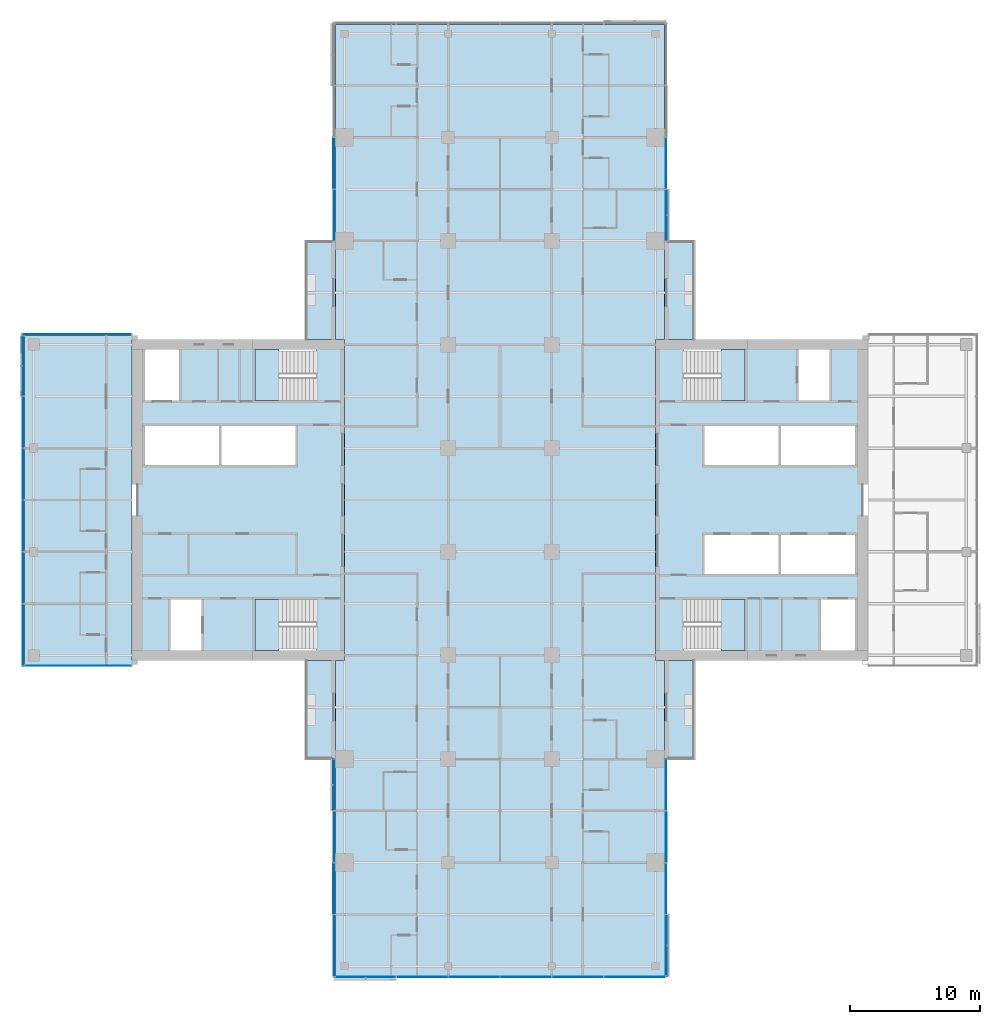
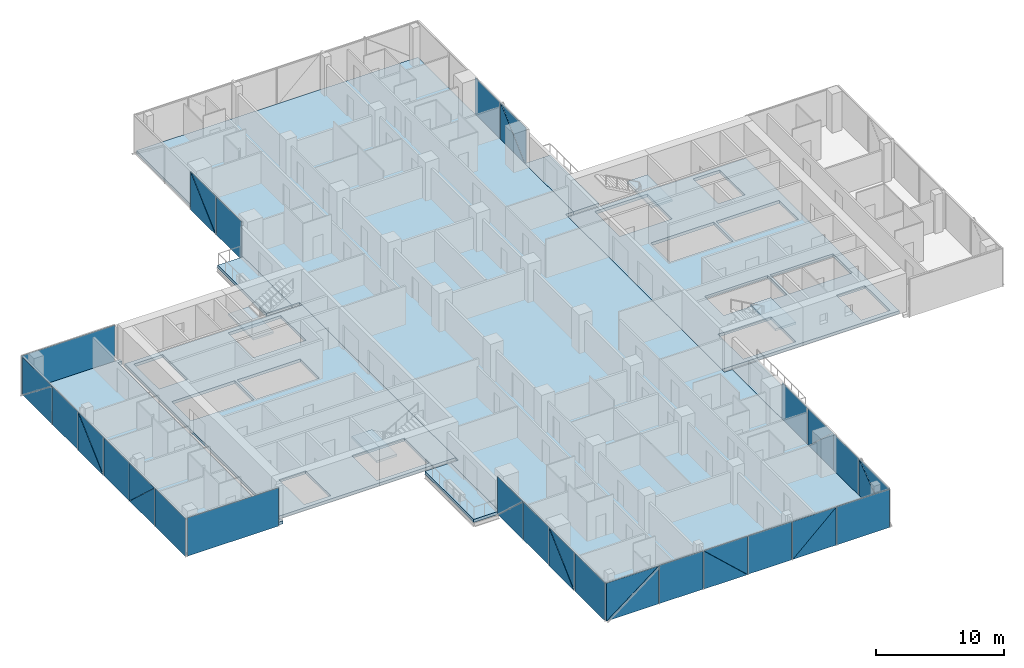
# One storey, part 13 of 27: 38 plates, 12 slabs, 12 elements without a shape of their own.
"""IFC4 building model written with IfcOpenShell, lengths in metres."""

from ifc_helpers import new_model, si_unit, direction, frame, origin, place, context, subcontext, project, spatial, polyline, outline, extrude, material, layer, layer_set, type_object, element, aggregate, save


model = new_model("IFC4")

# Units and contexts
model_context = context("Model", 3, precision=1e-05, world=origin(), true_north=direction((0.0, 1.0)))
body_context = subcontext(model_context, "Body", "Model", "MODEL_VIEW")
ifc_project = project(units=[si_unit("LENGTHUNIT", "METRE"), si_unit("AREAUNIT", "SQUARE_METRE"), si_unit("VOLUMEUNIT", "CUBIC_METRE"), si_unit("PLANEANGLEUNIT", "RADIAN"), si_unit("MASSUNIT", "GRAM", prefix="KILO")], contexts=[model_context])

# Site, building, storey
site_placement = place(None, origin())
site = spatial("IfcSite", under=ifc_project, at=site_placement, CompositionType="ELEMENT")
building_placement = place(site_placement, origin())
building = spatial("IfcBuilding", under=site, at=building_placement, Name="Crosswind Convention Tower", CompositionType="ELEMENT")
storey_placement = place(building_placement, frame((0.0, 0.0, 75.699951171875)))
storey = spatial("IfcBuildingStorey", under=building, at=storey_placement, Name="L13", CompositionType="ELEMENT", Elevation=75.699951171875)

# Slabs
ifc_material_1 = material(Name="Concrete C40/50", Category="concrete")
ifc_layer_1 = layer(ifc_material_1, 0.280029296875)
ifc_layer_set_1 = layer_set([ifc_layer_1], Name="Concrete C40/50")
slab_type_1 = type_object("IfcSlabType", Name="BALCONY SLAB 280", PredefinedType="USERDEFINED", material=ifc_layer_set_1)
slab_1_placement = place(storey_placement, frame((0.0, 0.0, -0.280029296875)))
element("IfcSlab", 1, at=slab_1_placement, inside=storey, type_object=slab_type_1, Name="BALCONY L13 N-E.1-1", ObjectType="BALCONY", PredefinedType="USERDEFINED", context=body_context, shape_type="SweptSolid", body=[
    extrude(outline(polyline([(137.699951171875, 112.39990234375), (137.699951171875, 120.0), (140.0, 120.0), (140.0, 112.39990234375), (137.699951171875, 112.39990234375)])), origin(), (0.0, 0.0, 1.0), 0.280029296875),
])
slab_2_placement = place(storey_placement, frame((0.0, 0.0, -0.280029296875)))
element("IfcSlab", 2, at=slab_2_placement, inside=storey, type_object=slab_type_1, Name="BALCONY L13 N-W.1-3", ObjectType="BALCONY", PredefinedType="USERDEFINED", context=body_context, shape_type="SweptSolid", body=[
    extrude(outline(polyline([(112.300048828125, 120.0), (112.300048828125, 112.39990234375), (110.0, 112.39990234375), (110.0, 120.0), (112.300048828125, 120.0)])), origin(), (0.0, 0.0, 1.0), 0.280029296875),
])
slab_3_placement = place(storey_placement, frame((0.0, 0.0, -0.280029296875)))
element("IfcSlab", 3, at=slab_3_placement, inside=storey, type_object=slab_type_1, Name="BALCONY L13 S-W.1-1", ObjectType="BALCONY", PredefinedType="USERDEFINED", context=body_context, shape_type="SweptSolid", body=[
    extrude(outline(polyline([(112.300048828125, 87.60009765625), (112.300048828125, 80.0), (110.0, 80.0), (110.0, 87.60009765625), (112.300048828125, 87.60009765625)])), origin(), (0.0, 0.0, 1.0), 0.280029296875),
])
slab_4_placement = place(storey_placement, frame((0.0, 0.0, -0.280029296875)))
element("IfcSlab", 4, at=slab_4_placement, inside=storey, type_object=slab_type_1, Name="BALCONY L13 S-E.1-3", ObjectType="BALCONY", PredefinedType="USERDEFINED", context=body_context, shape_type="SweptSolid", body=[
    extrude(outline(polyline([(137.699951171875, 80.0), (137.699951171875, 87.60009765625), (140.0, 87.60009765625), (140.0, 80.0), (137.699951171875, 80.0)])), origin(), (0.0, 0.0, 1.0), 0.280029296875),
])
ifc_layer_2 = layer(ifc_material_1, 0.280029296875)
ifc_layer_set_2 = layer_set([ifc_layer_2], Name="Concrete C40/50")
slab_type_2 = type_object("IfcSlabType", Name="Composite floor slab 280", PredefinedType="FLOOR", material=ifc_layer_set_2)
slab_5_placement = place(storey_placement, frame((0.0, 0.0, -0.280029296875)))
element("IfcSlab", 5, at=slab_5_placement, inside=storey, type_object=slab_type_2, Name="Floor slab L13 part 1", PredefinedType="FLOOR", context=body_context, shape_type="SweptSolid", body=[
    extrude(outline(polyline([(97.0, 87.300048828125), (89.0, 87.300048828125), (88.300048828125, 87.300048828125), (88.300048828125, 88.0), (88.300048828125, 112.0), (88.300048828125, 112.699951171875), (89.0, 112.699951171875), (97.0, 112.699951171875), (97.0, 112.39990234375), (96.60009765625, 112.39990234375), (96.60009765625, 87.60009765625), (97.0, 87.60009765625), (97.0, 87.300048828125)])), origin(), (0.0, 0.0, 1.0), 0.280029296875),
])
slab_6_placement = place(storey_placement, frame((0.0, 0.0, -0.280029296875)))
element("IfcSlab", 6, at=slab_6_placement, inside=storey, type_object=slab_type_2, Name="Floor slab L13 part 2", PredefinedType="FLOOR", context=body_context, shape_type="SweptSolid", body=[
    extrude(outline(polyline([(112.300048828125, 87.60009765625), (113.0, 87.60009765625), (113.0, 112.39990234375), (112.300048828125, 112.39990234375), (112.300048828125, 136.0), (112.300048828125, 136.699951171875), (113.0, 136.699951171875), (137.0, 136.699951171875), (137.699951171875, 136.699951171875), (137.699951171875, 136.0), (137.699951171875, 112.39990234375), (137.0, 112.39990234375), (137.0, 87.60009765625), (137.699951171875, 87.60009765625), (137.699951171875, 64.0), (137.699951171875, 63.300048828125), (137.0, 63.300048828125), (113.0, 63.300048828125), (112.300048828125, 63.300048828125), (112.300048828125, 64.0), (112.300048828125, 87.60009765625)])), origin(), (0.0, 0.0, 1.0), 0.280029296875),
])
ifc_layer_3 = layer(ifc_material_1, 0.280029296875)
ifc_layer_set_3 = layer_set([ifc_layer_3], Name="Concrete C40/50")
slab_type_3 = type_object("IfcSlabType", Name="Concrete core floor slab 280", PredefinedType="FLOOR", material=ifc_layer_set_3)
slab_7_placement = place(storey_placement, frame((0.0, 0.0, -0.280029296875)))
element("IfcSlab", 7, at=slab_7_placement, inside=storey, type_object=slab_type_3, Name="Core floor slab E L13", PredefinedType="FLOOR", context=body_context, shape_type="SweptSolid", body=[
    extrude(outline(polyline([(137.0, 88.0), (153.0, 88.0), (153.0, 112.0), (137.0, 112.0), (137.0, 88.0)]), holes=[polyline([(146.5, 102.699951171875), (146.5, 105.699951171875), (140.800048828125, 105.699951171875), (140.800048828125, 102.699951171875), (146.5, 102.699951171875)]), polyline([(152.39990234375, 102.699951171875), (152.39990234375, 105.699951171875), (146.699951171875, 105.699951171875), (146.699951171875, 102.699951171875), (152.39990234375, 102.699951171875)]), polyline([(146.5, 94.300048828125), (146.5, 97.300048828125), (140.800048828125, 97.300048828125), (140.800048828125, 94.300048828125), (146.5, 94.300048828125)]), polyline([(152.39990234375, 94.300048828125), (152.39990234375, 97.300048828125), (146.699951171875, 97.300048828125), (146.699951171875, 94.300048828125), (152.39990234375, 94.300048828125)]), polyline([(150.449951171875, 107.699951171875), (150.449951171875, 111.60009765625), (148.050048828125, 111.60009765625), (148.050048828125, 107.699951171875), (150.449951171875, 107.699951171875)]), polyline([(152.39990234375, 88.39990234375), (152.39990234375, 92.300048828125), (149.800048828125, 92.300048828125), (149.800048828125, 88.39990234375), (152.39990234375, 88.39990234375)]), polyline([(143.89990234375, 107.699951171875), (143.89990234375, 111.60009765625), (139.14990234375, 111.60009765625), (139.14990234375, 107.699951171875), (143.89990234375, 107.699951171875)]), polyline([(143.89990234375, 88.39990234375), (143.89990234375, 92.300048828125), (139.14990234375, 92.300048828125), (139.14990234375, 88.39990234375), (143.89990234375, 88.39990234375)])]), origin(), (0.0, 0.0, 1.0), 0.280029296875),
])
slab_8_placement = place(storey_placement, frame((0.0, 0.0, -0.280029296875)))
element("IfcSlab", 8, at=slab_8_placement, inside=storey, type_object=slab_type_3, Name="Core floor slab W L13", PredefinedType="FLOOR", context=body_context, shape_type="SweptSolid", body=[
    extrude(outline(polyline([(97.0, 88.0), (113.0, 88.0), (113.0, 112.0), (97.0, 112.0), (97.0, 88.0)]), holes=[polyline([(109.199951171875, 102.699951171875), (109.199951171875, 105.699951171875), (103.5, 105.699951171875), (103.5, 102.699951171875), (109.199951171875, 102.699951171875)]), polyline([(103.300048828125, 102.699951171875), (103.300048828125, 105.699951171875), (97.60009765625, 105.699951171875), (97.60009765625, 102.699951171875), (103.300048828125, 102.699951171875)]), polyline([(101.949951171875, 88.39990234375), (101.949951171875, 92.300048828125), (99.550048828125, 92.300048828125), (99.550048828125, 88.39990234375), (101.949951171875, 88.39990234375)]), polyline([(100.199951171875, 107.699951171875), (100.199951171875, 111.60009765625), (97.60009765625, 111.60009765625), (97.60009765625, 107.699951171875), (100.199951171875, 107.699951171875)]), polyline([(110.85009765625, 88.39990234375), (110.85009765625, 92.300048828125), (106.10009765625, 92.300048828125), (106.10009765625, 88.39990234375), (110.85009765625, 88.39990234375)]), polyline([(110.85009765625, 107.699951171875), (110.85009765625, 111.60009765625), (106.10009765625, 111.60009765625), (106.10009765625, 107.699951171875), (110.85009765625, 107.699951171875)])]), origin(), (0.0, 0.0, 1.0), 0.280029296875),
])

# Stair, slab
stair_type = type_object("IfcStairType", Name="Exit stair 1800 wide, 2 flights of 11 risers", PredefinedType="HALF_TURN_STAIR", material=ifc_material_1)
stair_1_placement = place(storey_placement, origin())
stair_1 = element("IfcStair", 9, at=stair_1_placement, inside=storey, type_object=stair_type, Name="Exit stair ST1 L13", ObjectType="ST5", PredefinedType="HALF_TURN_STAIR")
ifc_layer_4 = layer(ifc_material_1, 0.199951171875)
ifc_layer_set_4 = layer_set([ifc_layer_4], Name="Concrete C40/50")
slab_type_4 = type_object("IfcSlabType", Name="Stair landing 200", PredefinedType="LANDING", material=ifc_layer_set_4)
slab_9_placement = place(storey_placement, frame((0.0, 0.0, 1.650146484375)))
slab_9 = element("IfcSlab", 10, at=slab_9_placement, type_object=slab_type_4, Name="ST1 landing 1", PredefinedType="LANDING", context=body_context, shape_type="SweptSolid", body=[
    extrude(outline(polyline([(143.89990234375, 107.699951171875), (143.89990234375, 111.60009765625), (142.050048828125, 111.60009765625), (142.050048828125, 107.699951171875), (143.89990234375, 107.699951171875)])), origin(), (0.0, 0.0, 1.0), 0.199951171875),
])
aggregate(stair_1, [slab_9])

stair_2_placement = place(storey_placement, origin())
stair_2 = element("IfcStair", 11, at=stair_2_placement, inside=storey, type_object=stair_type, Name="Exit stair ST2 L13", ObjectType="ST5", PredefinedType="HALF_TURN_STAIR")
slab_10_placement = place(storey_placement, frame((0.0, 0.0, 1.650146484375)))
slab_10 = element("IfcSlab", 12, at=slab_10_placement, type_object=slab_type_4, Name="ST2 landing 1", PredefinedType="LANDING", context=body_context, shape_type="SweptSolid", body=[
    extrude(outline(polyline([(143.89990234375, 88.39990234375), (143.89990234375, 92.300048828125), (142.050048828125, 92.300048828125), (142.050048828125, 88.39990234375), (143.89990234375, 88.39990234375)])), origin(), (0.0, 0.0, 1.0), 0.199951171875),
])
aggregate(stair_2, [slab_10])

stair_3_placement = place(storey_placement, origin())
stair_3 = element("IfcStair", 13, at=stair_3_placement, inside=storey, type_object=stair_type, Name="Exit stair ST3 L13", ObjectType="ST5", PredefinedType="HALF_TURN_STAIR")
slab_11_placement = place(storey_placement, frame((0.0, 0.0, 1.650146484375)))
slab_11 = element("IfcSlab", 14, at=slab_11_placement, type_object=slab_type_4, Name="ST3 landing 1", PredefinedType="LANDING", context=body_context, shape_type="SweptSolid", body=[
    extrude(outline(polyline([(107.949951171875, 88.39990234375), (107.949951171875, 92.300048828125), (106.10009765625, 92.300048828125), (106.10009765625, 88.39990234375), (107.949951171875, 88.39990234375)])), origin(), (0.0, 0.0, 1.0), 0.199951171875),
])
aggregate(stair_3, [slab_11])

stair_4_placement = place(storey_placement, origin())
stair_4 = element("IfcStair", 15, at=stair_4_placement, inside=storey, type_object=stair_type, Name="Exit stair ST4 L13", ObjectType="ST5", PredefinedType="HALF_TURN_STAIR")
slab_12_placement = place(storey_placement, frame((0.0, 0.0, 1.650146484375)))
slab_12 = element("IfcSlab", 16, at=slab_12_placement, type_object=slab_type_4, Name="ST4 landing 1", PredefinedType="LANDING", context=body_context, shape_type="SweptSolid", body=[
    extrude(outline(polyline([(107.949951171875, 107.699951171875), (107.949951171875, 111.60009765625), (106.10009765625, 111.60009765625), (106.10009765625, 107.699951171875), (107.949951171875, 107.699951171875)])), origin(), (0.0, 0.0, 1.0), 0.199951171875),
])
aggregate(stair_4, [slab_12])

# Curtain wall, plate
ifc_material_2 = material(Name="Aluminium unitised curtain wall", Category="aluminium")
curtain_wall_type_1 = type_object("IfcCurtainWallType", Name="CORE END SLOT WALL 160", PredefinedType="USERDEFINED", material=ifc_material_2)
curtain_wall_1_placement = place(storey_placement, origin())
curtain_wall_1 = element("IfcCurtainWall", 17, at=curtain_wall_1_placement, inside=storey, type_object=curtain_wall_type_1, Name="CW6 L13 W-N.2-1 slot", ObjectType="UNITISED", PredefinedType="USERDEFINED")
ifc_material_3 = material(Name="Laminated insulating glass unit", Category="glass")
ifc_layer_5 = layer(ifc_material_3, 0.02587890625)
ifc_layer_set_5 = layer_set([ifc_layer_5], Name="TRIANGULAR GLASS PANEL 26")
plate_type_1 = type_object("IfcPlateType", Name="TRIANGULAR GLASS PANEL 26", PredefinedType="CURTAIN_PANEL", material=ifc_layer_set_5)
plate_1_placement = place(storey_placement, frame((96.550048828125, 112.806640625, -0.280029296875), z_axis=(0.0, 0.999999919475, 0.000401310917), x_axis=(-1.0, 0.0, 0.0)))
plate_1 = element("IfcPlate", 18, at=plate_1_placement, type_object=plate_type_1, Name="CW6 panel 1.1", PredefinedType="CURTAIN_PANEL", context=body_context, shape_type="SweptSolid", body=[
    extrude(outline(polyline([(0.0, 0.0), (8.400146484375, 0.0), (8.400146484375, 3.6501467783039057), (0.0, 3.6501467783039057), (0.0, 0.0)])), origin(), (0.0, 0.0, -1.0), 0.02587890625),
])
aggregate(curtain_wall_1, [plate_1])

curtain_wall_2_placement = place(storey_placement, origin())
curtain_wall_2 = element("IfcCurtainWall", 19, at=curtain_wall_2_placement, inside=storey, type_object=curtain_wall_type_1, Name="CW6 L13 W-S.1-1 slot", ObjectType="UNITISED", PredefinedType="USERDEFINED")
plate_2_placement = place(storey_placement, frame((88.35009765625, 87.193359375, -0.280029296875), z_axis=(0.0, -0.999999919475, 0.000401310917), x_axis=(1.0, 0.0, 0.0)))
plate_2 = element("IfcPlate", 20, at=plate_2_placement, type_object=plate_type_1, Name="CW6 panel 1.1", PredefinedType="CURTAIN_PANEL", context=body_context, shape_type="SweptSolid", body=[
    extrude(outline(polyline([(0.0, 0.0), (8.199951171875, 0.0), (8.199951171875, 3.650146778303906), (0.0, 3.650146778303906), (0.0, 0.0)])), origin(), (0.0, 0.0, -1.0), 0.02587890625),
])
aggregate(curtain_wall_2, [plate_2])

# Curtain wall, plates
curtain_wall_type_2 = type_object("IfcCurtainWallType", Name="HOTEL UNITISED WALL 200", PredefinedType="USERDEFINED", material=ifc_material_2)
curtain_wall_3_placement = place(storey_placement, origin())
curtain_wall_3 = element("IfcCurtainWall", 21, at=curtain_wall_3_placement, inside=storey, type_object=curtain_wall_type_2, Name="CW2 L13 N-E 1", ObjectType="UNITISED", PredefinedType="USERDEFINED")
ifc_layer_6 = layer(ifc_material_3, 0.028076171875)
ifc_layer_set_6 = layer_set([ifc_layer_6], Name="TRIANGULAR GLASS PANEL 28")
plate_type_2 = type_object("IfcPlateType", Name="TRIANGULAR GLASS PANEL 28", PredefinedType="CURTAIN_PANEL", material=ifc_layer_set_6)
plate_3_placement = place(storey_placement, frame((137.82861328125, 123.967529296875, -0.280029296875), z_axis=(0.999999943194, 0.0, 0.000337063484), x_axis=(-0.000337063484, 0.0, 0.999999943194)))
plate_3 = element("IfcPlate", 22, at=plate_3_placement, type_object=plate_type_2, Name="CW2 panel 1.1", PredefinedType="CURTAIN_PANEL", context=body_context, shape_type="SweptSolid", body=[
    extrude(outline(polyline([(0.0, 0.0), (3.62158223697723, 0.0), (0.0, 3.920410156250001), (0.0, 0.0)])), origin(), (0.0, 0.0, -1.0), 0.028076171875),
])
plate_4_placement = place(storey_placement, frame((137.857177734375, 120.032470703125, 3.35498046875), z_axis=(0.999999918188, 0.0, 0.000404503439), x_axis=(0.000404503439, 0.0, -0.999999918188)))
plate_4 = element("IfcPlate", 23, at=plate_4_placement, type_object=plate_type_2, Name="CW2 panel 1.2", PredefinedType="CURTAIN_PANEL", context=body_context, shape_type="SweptSolid", body=[
    extrude(outline(polyline([(0.0, 0.0), (3.6213381868921797, 0.0), (0.0, 3.92041015625), (0.0, 0.0)])), origin(), (0.0, 0.0, -1.0), 0.028076171875),
])
plate_5_placement = place(storey_placement, frame((137.82861328125, 124.032470703125, -0.280029296875), z_axis=(0.999999943613, 0.0, 0.00033581837), x_axis=(0.0, 1.0, 0.0)))
plate_5 = element("IfcPlate", 24, at=plate_5_placement, type_object=plate_type_2, Name="CW2 panel 2.1", PredefinedType="CURTAIN_PANEL", context=body_context, shape_type="SweptSolid", body=[
    extrude(outline(polyline([(0.0, 0.0), (3.93505859375, 0.0), (3.93505859375, 3.635009970592273), (0.0, 3.635009970592273), (0.0, 0.0)])), origin(), (0.0, 0.0, -1.0), 0.028076171875),
])
aggregate(curtain_wall_3, [plate_3, plate_4, plate_5])

curtain_wall_4_placement = place(storey_placement, origin())
curtain_wall_4 = element("IfcCurtainWall", 25, at=curtain_wall_4_placement, inside=storey, type_object=curtain_wall_type_2, Name="CW2 L13 N-W 1", ObjectType="UNITISED", PredefinedType="USERDEFINED")
plate_6_placement = place(storey_placement, frame((112.172607421875, 124.032470703125, 3.35498046875), z_axis=(-0.999999943186, 0.0, 0.000337086208), x_axis=(0.0, 1.0, 0.0)))
plate_6 = element("IfcPlate", 26, at=plate_6_placement, type_object=plate_type_2, Name="CW2 panel 3.1", PredefinedType="CURTAIN_PANEL", context=body_context, shape_type="SweptSolid", body=[
    extrude(outline(polyline([(0.0, 0.0), (3.92041015625, 0.0), (0.0, 3.6213380963660997), (0.0, 0.0)])), origin(), (0.0, 0.0, -1.0), 0.028076171875),
])
plate_7_placement = place(storey_placement, frame((112.141357421875, 127.967529296875, -0.280029296875), z_axis=(-0.9999999182, 0.0, 0.00040447617), x_axis=(0.0, -1.0, 0.0)))
plate_7 = element("IfcPlate", 27, at=plate_7_placement, type_object=plate_type_2, Name="CW2 panel 3.2", PredefinedType="CURTAIN_PANEL", context=body_context, shape_type="SweptSolid", body=[
    extrude(outline(polyline([(0.0, 0.0), (3.92041015625, 0.0), (0.0, 3.621582327497207), (0.0, 0.0)])), origin(), (0.0, 0.0, -1.0), 0.028076171875),
])
plate_8_placement = place(storey_placement, frame((112.17138671875, 123.967529296875, -0.280029296875), z_axis=(-0.999999943613, 0.0, 0.00033581837), x_axis=(0.0, -1.0, 0.0)))
plate_8 = element("IfcPlate", 28, at=plate_8_placement, type_object=plate_type_2, Name="CW2 panel 4.1", PredefinedType="CURTAIN_PANEL", context=body_context, shape_type="SweptSolid", body=[
    extrude(outline(polyline([(0.0, 0.0), (3.93505859375, 0.0), (3.93505859375, 3.635009970592273), (0.0, 3.635009970592273), (0.0, 0.0)])), origin(), (0.0, 0.0, -1.0), 0.028076171875),
])
aggregate(curtain_wall_4, [plate_6, plate_7, plate_8])

curtain_wall_5_placement = place(storey_placement, origin())
curtain_wall_5 = element("IfcCurtainWall", 29, at=curtain_wall_5_placement, inside=storey, type_object=curtain_wall_type_2, Name="CW2 L13 W-TIP 1", ObjectType="UNITISED", PredefinedType="USERDEFINED")
plate_9_placement = place(storey_placement, frame((88.17138671875, 108.032470703125, -0.280029296875), z_axis=(-0.999999943217, 0.0, 0.00033699533), x_axis=(0.00033699533, 0.0, 0.999999943217)))
plate_9 = element("IfcPlate", 30, at=plate_9_placement, type_object=plate_type_2, Name="CW2 panel 1.1", PredefinedType="CURTAIN_PANEL", context=body_context, shape_type="SweptSolid", body=[
    extrude(outline(polyline([(0.0, 0.0), (3.6223146588106325, 0.0), (0.0, 4.58642578125), (0.0, 0.0)])), origin(), (0.0, 0.0, -1.0), 0.028076171875),
])
plate_10_placement = place(storey_placement, frame((88.142822265625, 112.635009765625, 3.35498046875), z_axis=(-0.999999918222, 0.0, 0.000404421644), x_axis=(-0.000404421644, 0.0, -0.999999918222)))
plate_10 = element("IfcPlate", 31, at=plate_10_placement, type_object=plate_type_2, Name="CW2 panel 1.2", PredefinedType="CURTAIN_PANEL", context=body_context, shape_type="SweptSolid", body=[
    extrude(outline(polyline([(0.0, 0.0), (3.6220706087072707, 0.0), (0.0, 4.586425781249999), (0.0, 0.0)])), origin(), (0.0, 0.0, -1.0), 0.028076171875),
])
plate_11_placement = place(storey_placement, frame((88.17138671875, 107.967529296875, -0.280029296875), z_axis=(-0.999999943613, 0.0, 0.00033581837), x_axis=(0.0, -1.0, 0.0)))
plate_11 = element("IfcPlate", 32, at=plate_11_placement, type_object=plate_type_2, Name="CW2 panel 2.1", PredefinedType="CURTAIN_PANEL", context=body_context, shape_type="SweptSolid", body=[
    extrude(outline(polyline([(0.0, 0.0), (3.93505859375, 0.0), (3.93505859375, 3.635009970592273), (0.0, 3.635009970592273), (0.0, 0.0)])), origin(), (0.0, 0.0, -1.0), 0.028076171875),
])
plate_12_placement = place(storey_placement, frame((88.172607421875, 100.032470703125, 3.35498046875), z_axis=(-0.999999943186, 0.0, 0.000337086208), x_axis=(0.0, 1.0, 0.0)))
plate_12 = element("IfcPlate", 33, at=plate_12_placement, type_object=plate_type_2, Name="CW2 panel 3.1", PredefinedType="CURTAIN_PANEL", context=body_context, shape_type="SweptSolid", body=[
    extrude(outline(polyline([(0.0, 0.0), (3.92041015625, 0.0), (0.0, 3.6213380963660997), (0.0, 0.0)])), origin(), (0.0, 0.0, -1.0), 0.028076171875),
])
plate_13_placement = place(storey_placement, frame((88.141357421875, 103.967529296875, -0.280029296875), z_axis=(-0.9999999182, 0.0, 0.00040447617), x_axis=(0.0, -1.0, 0.0)))
plate_13 = element("IfcPlate", 34, at=plate_13_placement, type_object=plate_type_2, Name="CW2 panel 3.2", PredefinedType="CURTAIN_PANEL", context=body_context, shape_type="SweptSolid", body=[
    extrude(outline(polyline([(0.0, 0.0), (3.92041015625, 0.0), (0.0, 3.621582327497207), (0.0, 0.0)])), origin(), (0.0, 0.0, -1.0), 0.028076171875),
])
plate_14_placement = place(storey_placement, frame((88.17138671875, 99.967529296875, -0.280029296875), z_axis=(-0.999999943613, 0.0, 0.00033581837), x_axis=(0.0, -1.0, 0.0)))
plate_14 = element("IfcPlate", 35, at=plate_14_placement, type_object=plate_type_2, Name="CW2 panel 4.1", PredefinedType="CURTAIN_PANEL", context=body_context, shape_type="SweptSolid", body=[
    extrude(outline(polyline([(0.0, 0.0), (3.93505859375, 0.0), (3.93505859375, 3.635009970592273), (0.0, 3.635009970592273), (0.0, 0.0)])), origin(), (0.0, 0.0, -1.0), 0.028076171875),
])
plate_15_placement = place(storey_placement, frame((88.17138671875, 92.032470703125, -0.280029296875), z_axis=(-0.999999943194, 0.0, 0.000337063484), x_axis=(0.000337063484, 0.0, 0.999999943194)))
plate_15 = element("IfcPlate", 36, at=plate_15_placement, type_object=plate_type_2, Name="CW2 panel 5.1", PredefinedType="CURTAIN_PANEL", context=body_context, shape_type="SweptSolid", body=[
    extrude(outline(polyline([(0.0, 0.0), (3.62158223697723, 0.0), (0.0, 3.920410156250001), (0.0, 0.0)])), origin(), (0.0, 0.0, -1.0), 0.028076171875),
])
plate_16_placement = place(storey_placement, frame((88.142822265625, 95.967529296875, 3.35498046875), z_axis=(-0.999999918188, 0.0, 0.000404503439), x_axis=(-0.000404503439, 0.0, -0.999999918188)))
plate_16 = element("IfcPlate", 37, at=plate_16_placement, type_object=plate_type_2, Name="CW2 panel 5.2", PredefinedType="CURTAIN_PANEL", context=body_context, shape_type="SweptSolid", body=[
    extrude(outline(polyline([(0.0, 0.0), (3.6213381868921797, 0.0), (0.0, 3.92041015625), (0.0, 0.0)])), origin(), (0.0, 0.0, -1.0), 0.028076171875),
])
plate_17_placement = place(storey_placement, frame((88.17138671875, 91.967529296875, -0.280029296875), z_axis=(-0.999999943613, 0.0, 0.00033581837), x_axis=(0.0, -1.0, 0.0)))
plate_17 = element("IfcPlate", 38, at=plate_17_placement, type_object=plate_type_2, Name="CW2 panel 6.1", PredefinedType="CURTAIN_PANEL", context=body_context, shape_type="SweptSolid", body=[
    extrude(outline(polyline([(0.0, 0.0), (4.762451171875, 0.0), (4.762451171875, 3.635009970592273), (0.0, 3.635009970592273), (0.0, 0.0)])), origin(), (0.0, 0.0, -1.0), 0.028076171875),
])
aggregate(curtain_wall_5, [plate_9, plate_10, plate_11, plate_12, plate_13, plate_14, plate_15, plate_16, plate_17])

curtain_wall_6_placement = place(storey_placement, origin())
curtain_wall_6 = element("IfcCurtainWall", 39, at=curtain_wall_6_placement, inside=storey, type_object=curtain_wall_type_2, Name="CW2 L13 S-W 1", ObjectType="UNITISED", PredefinedType="USERDEFINED")
plate_18_placement = place(storey_placement, frame((112.17138671875, 76.032470703125, -0.280029296875), z_axis=(-0.999999943194, 0.0, 0.000337063484), x_axis=(0.000337063484, 0.0, 0.999999943194)))
plate_18 = element("IfcPlate", 40, at=plate_18_placement, type_object=plate_type_2, Name="CW2 panel 1.1", PredefinedType="CURTAIN_PANEL", context=body_context, shape_type="SweptSolid", body=[
    extrude(outline(polyline([(0.0, 0.0), (3.62158223697723, 0.0), (0.0, 3.920410156250001), (0.0, 0.0)])), origin(), (0.0, 0.0, -1.0), 0.028076171875),
])
plate_19_placement = place(storey_placement, frame((112.142822265625, 79.967529296875, 3.35498046875), z_axis=(-0.999999918188, 0.0, 0.000404503439), x_axis=(-0.000404503439, 0.0, -0.999999918188)))
plate_19 = element("IfcPlate", 41, at=plate_19_placement, type_object=plate_type_2, Name="CW2 panel 1.2", PredefinedType="CURTAIN_PANEL", context=body_context, shape_type="SweptSolid", body=[
    extrude(outline(polyline([(0.0, 0.0), (3.6213381868921797, 0.0), (0.0, 3.92041015625), (0.0, 0.0)])), origin(), (0.0, 0.0, -1.0), 0.028076171875),
])
plate_20_placement = place(storey_placement, frame((112.17138671875, 75.967529296875, -0.280029296875), z_axis=(-0.999999943613, 0.0, 0.00033581837), x_axis=(0.0, -1.0, 0.0)))
plate_20 = element("IfcPlate", 42, at=plate_20_placement, type_object=plate_type_2, Name="CW2 panel 2.1", PredefinedType="CURTAIN_PANEL", context=body_context, shape_type="SweptSolid", body=[
    extrude(outline(polyline([(0.0, 0.0), (3.93505859375, 0.0), (3.93505859375, 3.635009970592273), (0.0, 3.635009970592273), (0.0, 0.0)])), origin(), (0.0, 0.0, -1.0), 0.028076171875),
])
plate_21_placement = place(storey_placement, frame((112.172607421875, 68.032470703125, 3.35498046875), z_axis=(-0.999999943186, 0.0, 0.000337086208), x_axis=(0.0, 1.0, 0.0)))
plate_21 = element("IfcPlate", 43, at=plate_21_placement, type_object=plate_type_2, Name="CW2 panel 3.1", PredefinedType="CURTAIN_PANEL", context=body_context, shape_type="SweptSolid", body=[
    extrude(outline(polyline([(0.0, 0.0), (3.92041015625, 0.0), (0.0, 3.6213380963660997), (0.0, 0.0)])), origin(), (0.0, 0.0, -1.0), 0.028076171875),
])
plate_22_placement = place(storey_placement, frame((112.141357421875, 71.967529296875, -0.280029296875), z_axis=(-0.9999999182, 0.0, 0.00040447617), x_axis=(0.0, -1.0, 0.0)))
plate_22 = element("IfcPlate", 44, at=plate_22_placement, type_object=plate_type_2, Name="CW2 panel 3.2", PredefinedType="CURTAIN_PANEL", context=body_context, shape_type="SweptSolid", body=[
    extrude(outline(polyline([(0.0, 0.0), (3.92041015625, 0.0), (0.0, 3.621582327497207), (0.0, 0.0)])), origin(), (0.0, 0.0, -1.0), 0.028076171875),
])
plate_23_placement = place(storey_placement, frame((112.17138671875, 67.967529296875, -0.280029296875), z_axis=(-0.999999943613, 0.0, 0.00033581837), x_axis=(0.0, -1.0, 0.0)))
plate_23 = element("IfcPlate", 45, at=plate_23_placement, type_object=plate_type_2, Name="CW2 panel 4.1", PredefinedType="CURTAIN_PANEL", context=body_context, shape_type="SweptSolid", body=[
    extrude(outline(polyline([(0.0, 0.0), (4.735107421875, 0.0), (4.735107421875, 3.6350099705922725), (0.0, 3.6350099705922725), (0.0, 0.0)])), origin(), (0.0, 0.0, -1.0), 0.028076171875),
])
aggregate(curtain_wall_6, [plate_18, plate_19, plate_20, plate_21, plate_22, plate_23])

curtain_wall_7_placement = place(storey_placement, origin())
curtain_wall_7 = element("IfcCurtainWall", 46, at=curtain_wall_7_placement, inside=storey, type_object=curtain_wall_type_2, Name="CW2 L13 S-TIP 1", ObjectType="UNITISED", PredefinedType="USERDEFINED")
plate_24_placement = place(storey_placement, frame((116.967529296875, 63.17138671875, -0.280029296875), z_axis=(0.0, -0.999999943225, 0.000336972619), x_axis=(0.0, 0.000336972619, 0.999999943225)))
plate_24 = element("IfcPlate", 47, at=plate_24_placement, type_object=plate_type_2, Name="CW2 panel 1.1", PredefinedType="CURTAIN_PANEL", context=body_context, shape_type="SweptSolid", body=[
    extrude(outline(polyline([(0.0, 0.0), (3.6225587994217703, 0.0), (0.0, 4.718505859374999), (0.0, 0.0)])), origin(), (0.0, 0.0, -1.0), 0.028076171875),
])
plate_25_placement = place(storey_placement, frame((112.232421875, 63.142822265625, 3.35498046875), z_axis=(0.0, -0.999999918233, 0.000404394386), x_axis=(0.0, -0.000404394386, -0.999999918233)))
plate_25 = element("IfcPlate", 48, at=plate_25_placement, type_object=plate_type_2, Name="CW2 panel 1.2", PredefinedType="CURTAIN_PANEL", context=body_context, shape_type="SweptSolid", body=[
    extrude(outline(polyline([(0.0, 0.0), (3.6223147493123067, 0.0), (0.0, 4.71875), (0.0, 0.0)])), origin(), (0.0, 0.0, -1.0), 0.028076171875),
])
plate_26_placement = place(storey_placement, frame((117.032470703125, 63.17138671875, -0.280029296875), z_axis=(0.0, -0.999999943613, 0.00033581837), x_axis=(1.0, 0.0, 0.0)))
plate_26 = element("IfcPlate", 49, at=plate_26_placement, type_object=plate_type_2, Name="CW2 panel 2.1", PredefinedType="CURTAIN_PANEL", context=body_context, shape_type="SweptSolid", body=[
    extrude(outline(polyline([(0.0, 0.0), (3.93505859375, 0.0), (3.93505859375, 3.635009970592273), (0.0, 3.635009970592273), (0.0, 0.0)])), origin(), (0.0, 0.0, -1.0), 0.028076171875),
])
plate_27_placement = place(storey_placement, frame((124.967529296875, 63.172607421875, 3.35498046875), z_axis=(0.0, -0.999999943186, 0.000337086208), x_axis=(-1.0, 0.0, 0.0)))
plate_27 = element("IfcPlate", 50, at=plate_27_placement, type_object=plate_type_2, Name="CW2 panel 3.1", PredefinedType="CURTAIN_PANEL", context=body_context, shape_type="SweptSolid", body=[
    extrude(outline(polyline([(0.0, 0.0), (3.92041015625, 0.0), (0.0, 3.6213380963660997), (0.0, 0.0)])), origin(), (0.0, 0.0, -1.0), 0.028076171875),
])
plate_28_placement = place(storey_placement, frame((121.032470703125, 63.141357421875, -0.280029296875), z_axis=(0.0, -0.9999999182, 0.00040447617), x_axis=(1.0, 0.0, 0.0)))
plate_28 = element("IfcPlate", 51, at=plate_28_placement, type_object=plate_type_2, Name="CW2 panel 3.2", PredefinedType="CURTAIN_PANEL", context=body_context, shape_type="SweptSolid", body=[
    extrude(outline(polyline([(0.0, 0.0), (3.92041015625, 0.0), (0.0, 3.621582327497207), (0.0, 0.0)])), origin(), (0.0, 0.0, -1.0), 0.028076171875),
])
plate_29_placement = place(storey_placement, frame((125.032470703125, 63.17138671875, -0.280029296875), z_axis=(0.0, -0.999999943613, 0.00033581837), x_axis=(1.0, 0.0, 0.0)))
plate_29 = element("IfcPlate", 52, at=plate_29_placement, type_object=plate_type_2, Name="CW2 panel 4.1", PredefinedType="CURTAIN_PANEL", context=body_context, shape_type="SweptSolid", body=[
    extrude(outline(polyline([(0.0, 0.0), (3.93505859375, 0.0), (3.93505859375, 3.635009970592273), (0.0, 3.635009970592273), (0.0, 0.0)])), origin(), (0.0, 0.0, -1.0), 0.028076171875),
])
plate_30_placement = place(storey_placement, frame((132.967529296875, 63.17138671875, -0.280029296875), z_axis=(0.0, -0.999999943194, 0.000337063484), x_axis=(0.0, 0.000337063484, 0.999999943194)))
plate_30 = element("IfcPlate", 53, at=plate_30_placement, type_object=plate_type_2, Name="CW2 panel 5.1", PredefinedType="CURTAIN_PANEL", context=body_context, shape_type="SweptSolid", body=[
    extrude(outline(polyline([(0.0, 0.0), (3.62158223697723, 0.0), (0.0, 3.920410156250001), (0.0, 0.0)])), origin(), (0.0, 0.0, -1.0), 0.028076171875),
])
plate_31_placement = place(storey_placement, frame((129.032470703125, 63.142822265625, 3.35498046875), z_axis=(0.0, -0.999999918188, 0.000404503439), x_axis=(0.0, -0.000404503439, -0.999999918188)))
plate_31 = element("IfcPlate", 54, at=plate_31_placement, type_object=plate_type_2, Name="CW2 panel 5.2", PredefinedType="CURTAIN_PANEL", context=body_context, shape_type="SweptSolid", body=[
    extrude(outline(polyline([(0.0, 0.0), (3.6213381868921797, 0.0), (0.0, 3.92041015625), (0.0, 0.0)])), origin(), (0.0, 0.0, -1.0), 0.028076171875),
])
plate_32_placement = place(storey_placement, frame((133.032470703125, 63.17138671875, -0.280029296875), z_axis=(0.0, -0.999999943613, 0.00033581837), x_axis=(1.0, 0.0, 0.0)))
plate_32 = element("IfcPlate", 55, at=plate_32_placement, type_object=plate_type_2, Name="CW2 panel 6.1", PredefinedType="CURTAIN_PANEL", context=body_context, shape_type="SweptSolid", body=[
    extrude(outline(polyline([(0.0, 0.0), (4.735107421875, 0.0), (4.735107421875, 3.6350099705922725), (0.0, 3.6350099705922725), (0.0, 0.0)])), origin(), (0.0, 0.0, -1.0), 0.028076171875),
])
aggregate(curtain_wall_7, [plate_24, plate_25, plate_26, plate_27, plate_28, plate_29, plate_30, plate_31, plate_32])

curtain_wall_8_placement = place(storey_placement, origin())
curtain_wall_8 = element("IfcCurtainWall", 56, at=curtain_wall_8_placement, inside=storey, type_object=curtain_wall_type_2, Name="CW2 L13 S-E 1", ObjectType="UNITISED", PredefinedType="USERDEFINED")
plate_33_placement = place(storey_placement, frame((137.82861328125, 67.967529296875, -0.280029296875), z_axis=(0.999999943225, 0.0, 0.000336972619), x_axis=(-0.000336972619, 0.0, 0.999999943225)))
plate_33 = element("IfcPlate", 57, at=plate_33_placement, type_object=plate_type_2, Name="CW2 panel 1.1", PredefinedType="CURTAIN_PANEL", context=body_context, shape_type="SweptSolid", body=[
    extrude(outline(polyline([(0.0, 0.0), (3.6225587994217703, 0.0), (0.0, 4.718505859374999), (0.0, 0.0)])), origin(), (0.0, 0.0, -1.0), 0.028076171875),
])
plate_34_placement = place(storey_placement, frame((137.857177734375, 63.232421875, 3.35498046875), z_axis=(0.999999918233, 0.0, 0.000404394386), x_axis=(0.000404394386, 0.0, -0.999999918233)))
plate_34 = element("IfcPlate", 58, at=plate_34_placement, type_object=plate_type_2, Name="CW2 panel 1.2", PredefinedType="CURTAIN_PANEL", context=body_context, shape_type="SweptSolid", body=[
    extrude(outline(polyline([(0.0, 0.0), (3.6223147493123067, 0.0), (0.0, 4.71875), (0.0, 0.0)])), origin(), (0.0, 0.0, -1.0), 0.028076171875),
])
plate_35_placement = place(storey_placement, frame((137.82861328125, 68.032470703125, -0.280029296875), z_axis=(0.999999943613, 0.0, 0.00033581837), x_axis=(0.0, 1.0, 0.0)))
plate_35 = element("IfcPlate", 59, at=plate_35_placement, type_object=plate_type_2, Name="CW2 panel 2.1", PredefinedType="CURTAIN_PANEL", context=body_context, shape_type="SweptSolid", body=[
    extrude(outline(polyline([(0.0, 0.0), (3.93505859375, 0.0), (3.93505859375, 3.635009970592273), (0.0, 3.635009970592273), (0.0, 0.0)])), origin(), (0.0, 0.0, -1.0), 0.028076171875),
])
plate_36_placement = place(storey_placement, frame((137.827392578125, 75.967529296875, 3.35498046875), z_axis=(0.999999943186, 0.0, 0.000337086208), x_axis=(0.0, -1.0, 0.0)))
plate_36 = element("IfcPlate", 60, at=plate_36_placement, type_object=plate_type_2, Name="CW2 panel 3.1", PredefinedType="CURTAIN_PANEL", context=body_context, shape_type="SweptSolid", body=[
    extrude(outline(polyline([(0.0, 0.0), (3.92041015625, 0.0), (0.0, 3.6213380963660997), (0.0, 0.0)])), origin(), (0.0, 0.0, -1.0), 0.028076171875),
])
plate_37_placement = place(storey_placement, frame((137.858642578125, 72.032470703125, -0.280029296875), z_axis=(0.9999999182, 0.0, 0.00040447617), x_axis=(0.0, 1.0, 0.0)))
plate_37 = element("IfcPlate", 61, at=plate_37_placement, type_object=plate_type_2, Name="CW2 panel 3.2", PredefinedType="CURTAIN_PANEL", context=body_context, shape_type="SweptSolid", body=[
    extrude(outline(polyline([(0.0, 0.0), (3.92041015625, 0.0), (0.0, 3.621582327497207), (0.0, 0.0)])), origin(), (0.0, 0.0, -1.0), 0.028076171875),
])
plate_38_placement = place(storey_placement, frame((137.82861328125, 76.032470703125, -0.280029296875), z_axis=(0.999999943613, 0.0, 0.00033581837), x_axis=(0.0, 1.0, 0.0)))
plate_38 = element("IfcPlate", 62, at=plate_38_placement, type_object=plate_type_2, Name="CW2 panel 4.1", PredefinedType="CURTAIN_PANEL", context=body_context, shape_type="SweptSolid", body=[
    extrude(outline(polyline([(0.0, 0.0), (3.93505859375, 0.0), (3.93505859375, 3.635009970592273), (0.0, 3.635009970592273), (0.0, 0.0)])), origin(), (0.0, 0.0, -1.0), 0.028076171875),
])
aggregate(curtain_wall_8, [plate_33, plate_34, plate_35, plate_36, plate_37, plate_38])

save(model, "model.ifc")
